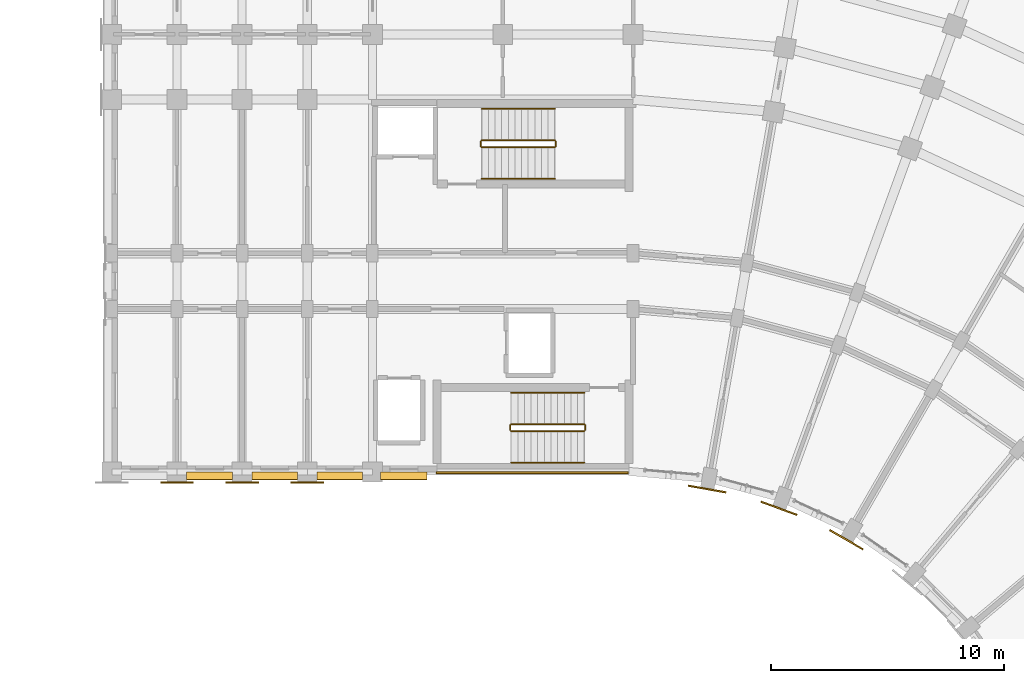
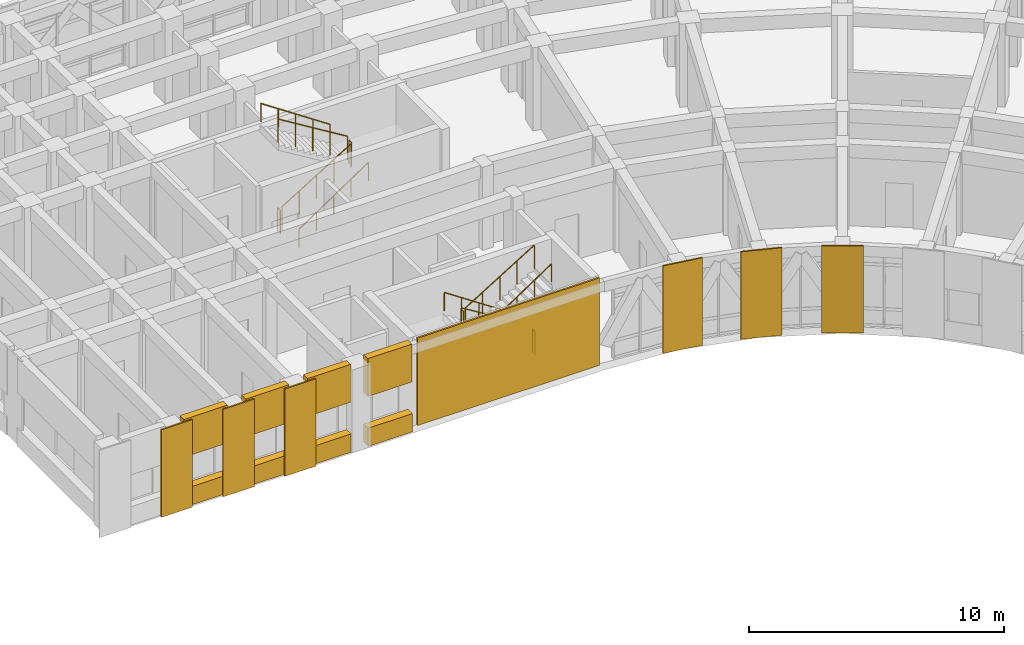
# One storey, part 93 of 97: 15 coverings, 12 railings.
"""IFC4 building model written with IfcOpenShell, lengths in metres."""

from ifc_helpers import new_model, si_unit, direction, frame, origin, origin_2d, place, context, subcontext, project, spatial, polyline, circle, outline, extrude, material, layer, layer_set, type_object, element, save


model = new_model("IFC4")

# Units and contexts
model_context = context("Model", 3, precision=1e-05, world=origin(), true_north=direction((0.0, 1.0)))
body_context = subcontext(model_context, "Body", "Model", "MODEL_VIEW")
ifc_project = project(units=[si_unit("LENGTHUNIT", "METRE"), si_unit("AREAUNIT", "SQUARE_METRE"), si_unit("VOLUMEUNIT", "CUBIC_METRE"), si_unit("PLANEANGLEUNIT", "RADIAN"), si_unit("MASSUNIT", "GRAM", prefix="KILO")], contexts=[model_context])

# Site, building, storey
site_placement = place(None, origin())
site = spatial("IfcSite", under=ifc_project, at=site_placement, CompositionType="ELEMENT")
building_placement = place(site_placement, origin())
building = spatial("IfcBuilding", under=site, at=building_placement, Name="Kiranvali Square Residences", CompositionType="ELEMENT")
storey_placement = place(building_placement, frame((0.0, 0.0, 4.5)))
storey = spatial("IfcBuildingStorey", under=building, at=storey_placement, Name="L01", CompositionType="ELEMENT", Elevation=4.5)

# Coverings
ifc_material_1 = material(Name="Honed Porbandar limestone ashlar facade cladding", Category="masonry")
ifc_layer_1 = layer(ifc_material_1, 0.06494140625)
ifc_layer_set_1 = layer_set([ifc_layer_1], Name="Honed Porbandar limestone ashlar facade cladding")
covering_type_1 = type_object("IfcCoveringType", Name="COV-CLAD-PIER", PredefinedType="CLADDING", material=ifc_layer_set_1)
covering_1_placement = place(storey_placement, frame((0.0, 0.0, 0.0048828125)))
element("IfcCovering", 1, at=covering_1_placement, inside=storey, type_object=covering_type_1, Name="Block B L01 garden stair limestone ashlar cladding", PredefinedType="CLADDING", context=body_context, shape_type="SweptSolid", body=[
    extrude(outline(polyline([(119.60009765625, 106.597900390625), (111.35009765625, 106.597900390625), (111.35009765625, 106.52001953125), (119.60009765625, 106.52001953125), (119.60009765625, 106.597900390625)])), origin(), (0.0, 0.0, 1.0), 4.190185546875),
])
ifc_layer_2 = layer(ifc_material_1, 0.050048828125)
ifc_layer_set_2 = layer_set([ifc_layer_2], Name="Honed Porbandar limestone ashlar facade cladding")
covering_type_2 = type_object("IfcCoveringType", Name="COV-CLAD-PIER-IN", PredefinedType="CLADDING", material=ifc_layer_set_2)
covering_2_placement = place(storey_placement, frame((0.0, 0.0, 0.0048828125)))
element("IfcCovering", 2, at=covering_2_placement, inside=storey, type_object=covering_type_2, Name="L01 Classical garden courtyard pilaster CLAD-PRIN-B-L01-A01", PredefinedType="CLADDING", context=body_context, shape_type="SweptSolid", body=[
    extrude(outline(polyline([(122.16650390625, 105.97216796875), (123.79150390625, 105.685546875), (123.80322265625, 105.752197265625), (122.17822265625, 106.03857421875), (122.16650390625, 105.97216796875)])), origin(), (0.0, 0.0, 1.0), 4.190185546875),
])
covering_3_placement = place(storey_placement, frame((0.0, 0.0, 0.0048828125)))
element("IfcCovering", 3, at=covering_3_placement, inside=storey, type_object=covering_type_2, Name="L01 Classical garden courtyard pilaster CLAD-PRIN-B-L01-A02", PredefinedType="CLADDING", context=body_context, shape_type="SweptSolid", body=[
    extrude(outline(polyline([(125.2861328125, 105.28515625), (126.836669921875, 104.720703125), (126.859619140625, 104.7841796875), (125.30908203125, 105.3486328125), (125.2861328125, 105.28515625)])), origin(), (0.0, 0.0, 1.0), 4.190185546875),
])
covering_4_placement = place(storey_placement, frame((0.0, 0.0, 0.0048828125)))
element("IfcCovering", 4, at=covering_4_placement, inside=storey, type_object=covering_type_2, Name="L01 Classical garden courtyard pilaster CLAD-PRIN-B-L01-A03", PredefinedType="CLADDING", context=body_context, shape_type="SweptSolid", body=[
    extrude(outline(polyline([(128.239013671875, 104.06689453125), (129.66796875, 103.241943359375), (129.70166015625, 103.30029296875), (128.272705078125, 104.125244140625), (128.239013671875, 104.06689453125)])), origin(), (0.0, 0.0, 1.0), 4.190185546875),
])
covering_5_placement = place(storey_placement, frame((0.0, 0.0, 0.0048828125)))
element("IfcCovering", 5, at=covering_5_placement, inside=storey, type_object=covering_type_2, Name="L01 Classical limestone pilaster casing CLAD-PRA1I-B-L01-U140", PredefinedType="CLADDING", context=body_context, shape_type="SweptSolid", body=[
    extrude(outline(polyline([(106.5048828125, 106.174560546875), (105.094970703125, 106.174560546875), (105.094970703125, 106.10693359375), (106.5048828125, 106.10693359375), (106.5048828125, 106.174560546875)])), origin(), (0.0, 0.0, 1.0), 4.190185546875),
])
covering_6_placement = place(storey_placement, frame((0.0, 0.0, 0.0048828125)))
element("IfcCovering", 6, at=covering_6_placement, inside=storey, type_object=covering_type_2, Name="L01 Classical limestone pilaster casing CLAD-PRA1I-B-L01-U167", PredefinedType="CLADDING", context=body_context, shape_type="SweptSolid", body=[
    extrude(outline(polyline([(103.705078125, 106.174560546875), (102.294921875, 106.174560546875), (102.294921875, 106.10693359375), (103.705078125, 106.10693359375), (103.705078125, 106.174560546875)])), origin(), (0.0, 0.0, 1.0), 4.190185546875),
])
covering_7_placement = place(storey_placement, frame((0.0, 0.0, 0.0048828125)))
element("IfcCovering", 7, at=covering_7_placement, inside=storey, type_object=covering_type_2, Name="L01 Classical limestone pilaster casing CLAD-PRA1I-B-L01-U195", PredefinedType="CLADDING", context=body_context, shape_type="SweptSolid", body=[
    extrude(outline(polyline([(100.905029296875, 106.174560546875), (99.4951171875, 106.174560546875), (99.4951171875, 106.10693359375), (100.905029296875, 106.10693359375), (100.905029296875, 106.174560546875)])), origin(), (0.0, 0.0, 1.0), 4.190185546875),
])
ifc_layer_3 = layer(ifc_material_1, 0.360107421875)
ifc_layer_set_3 = layer_set([ifc_layer_3], Name="Honed Porbandar limestone ashlar facade cladding")
covering_type_3 = type_object("IfcCoveringType", Name="COV-CLAD-WALL", PredefinedType="CLADDING", material=ifc_layer_set_3)
covering_8_placement = place(storey_placement, frame((0.0, 0.0, 2.3798828125)))
element("IfcCovering", 8, at=covering_8_placement, inside=storey, type_object=covering_type_3, Name="L01 light limestone spandrel lintel B-L01-A1IN-0", PredefinedType="CLADDING", context=body_context, shape_type="SweptSolid", body=[
    extrude(outline(polyline([(110.949951171875, 106.599609375), (108.949951171875, 106.599609375), (108.949951171875, 106.280029296875), (110.949951171875, 106.280029296875), (110.949951171875, 106.599609375)])), origin(), (0.0, 0.0, 1.0), 1.815185546875),
])
covering_9_placement = place(storey_placement, frame((0.0, 0.0, 0.0048828125)))
element("IfcCovering", 9, at=covering_9_placement, inside=storey, type_object=covering_type_3, Name="L01 limestone window sill apron B-L01-A1IN-0", PredefinedType="CLADDING", context=body_context, shape_type="SweptSolid", body=[
    extrude(outline(polyline([(110.949951171875, 106.599609375), (108.949951171875, 106.599609375), (108.949951171875, 106.25), (110.949951171875, 106.25), (110.949951171875, 106.599609375)])), origin(), (0.0, 0.0, 1.0), 0.875),
])
covering_10_placement = place(storey_placement, frame((0.0, 0.0, 2.3798828125)))
element("IfcCovering", 10, at=covering_10_placement, inside=storey, type_object=covering_type_3, Name="L01 light limestone spandrel lintel B-L01-A1I-0", PredefinedType="CLADDING", context=body_context, shape_type="SweptSolid", body=[
    extrude(outline(polyline([(108.179931640625, 106.599609375), (106.219970703125, 106.599609375), (106.219970703125, 106.280029296875), (108.179931640625, 106.280029296875), (108.179931640625, 106.599609375)])), origin(), (0.0, 0.0, 1.0), 1.815185546875),
])
covering_11_placement = place(storey_placement, frame((0.0, 0.0, 0.0048828125)))
element("IfcCovering", 11, at=covering_11_placement, inside=storey, type_object=covering_type_3, Name="L01 limestone window sill apron B-L01-A1I-0", PredefinedType="CLADDING", context=body_context, shape_type="SweptSolid", body=[
    extrude(outline(polyline([(108.179931640625, 106.599609375), (106.219970703125, 106.599609375), (106.219970703125, 106.25), (108.179931640625, 106.25), (108.179931640625, 106.599609375)])), origin(), (0.0, 0.0, 1.0), 0.875),
])
covering_12_placement = place(storey_placement, frame((0.0, 0.0, 2.3798828125)))
element("IfcCovering", 12, at=covering_12_placement, inside=storey, type_object=covering_type_3, Name="L01 light limestone spandrel lintel B-L01-A1I-1", PredefinedType="CLADDING", context=body_context, shape_type="SweptSolid", body=[
    extrude(outline(polyline([(105.3798828125, 106.599609375), (103.419921875, 106.599609375), (103.419921875, 106.280029296875), (105.3798828125, 106.280029296875), (105.3798828125, 106.599609375)])), origin(), (0.0, 0.0, 1.0), 1.815185546875),
])
covering_13_placement = place(storey_placement, frame((0.0, 0.0, 0.0048828125)))
element("IfcCovering", 13, at=covering_13_placement, inside=storey, type_object=covering_type_3, Name="L01 limestone window sill apron B-L01-A1I-1", PredefinedType="CLADDING", context=body_context, shape_type="SweptSolid", body=[
    extrude(outline(polyline([(105.3798828125, 106.599609375), (103.419921875, 106.599609375), (103.419921875, 106.25), (105.3798828125, 106.25), (105.3798828125, 106.599609375)])), origin(), (0.0, 0.0, 1.0), 0.875),
])
covering_14_placement = place(storey_placement, frame((0.0, 0.0, 2.3798828125)))
element("IfcCovering", 14, at=covering_14_placement, inside=storey, type_object=covering_type_3, Name="L01 light limestone spandrel lintel B-L01-A1I-2", PredefinedType="CLADDING", context=body_context, shape_type="SweptSolid", body=[
    extrude(outline(polyline([(102.580078125, 106.599609375), (100.6201171875, 106.599609375), (100.6201171875, 106.280029296875), (102.580078125, 106.280029296875), (102.580078125, 106.599609375)])), origin(), (0.0, 0.0, 1.0), 1.815185546875),
])
covering_15_placement = place(storey_placement, frame((0.0, 0.0, 0.0048828125)))
element("IfcCovering", 15, at=covering_15_placement, inside=storey, type_object=covering_type_3, Name="L01 limestone window sill apron B-L01-A1I-2", PredefinedType="CLADDING", context=body_context, shape_type="SweptSolid", body=[
    extrude(outline(polyline([(102.580078125, 106.599609375), (100.6201171875, 106.599609375), (100.6201171875, 106.25), (102.580078125, 106.25), (102.580078125, 106.599609375)])), origin(), (0.0, 0.0, 1.0), 0.875),
])

# Railings
ifc_material_2 = material(Name="Brushed stainless steel tubular handrail", Category="steel")
railing_type_1 = type_object("IfcRailingType", Name="RL-HANDRAIL-900", PredefinedType="HANDRAIL", material=ifc_material_2)
railing_1_placement = place(storey_placement, frame((113.300048828125, 119.199951171875, 0.175048828125)))
element("IfcRailing", 16, at=railing_1_placement, inside=storey, type_object=railing_type_1, Name="L01 ST-B1 stair handrail 1", PredefinedType="HANDRAIL", context=body_context, shape_type="SweptSolid", body=[
    extrude(circle(Radius=0.02392578125, at=origin_2d()), frame((0.0, 0.0, 0.8759765625), z_axis=(0.830843872262, 0.0, 0.556505579419), x_axis=(0.0, 1.0, 0.0)), (0.0, 0.0, 1.0), 3.773193359375),
    extrude(circle(Radius=0.02099609375, at=origin_2d()), origin(), (0.0, 0.0, 1.0), 0.851806640625),
    extrude(circle(Radius=0.02099609375, at=origin_2d()), frame((0.78369140625, 0.0, 0.52490234375)), (0.0, 0.0, 1.0), 0.851806640625),
    extrude(circle(Radius=0.02099609375, at=origin_2d()), frame((1.5673828125, 0.0, 1.0498046875)), (0.0, 0.0, 1.0), 0.851806640625),
    extrude(circle(Radius=0.02099609375, at=origin_2d()), frame((2.351318359375, 0.0, 1.574951171875)), (0.0, 0.0, 1.0), 0.851806640625),
    extrude(circle(Radius=0.02099609375, at=origin_2d()), frame((3.135009765625, 0.0, 2.099853515625)), (0.0, 0.0, 1.0), 0.851806640625),
])
railing_2_placement = place(storey_placement, frame((116.43505859375, 122.199951171875, 2.27490234375)))
element("IfcRailing", 17, at=railing_2_placement, inside=storey, type_object=railing_type_1, Name="L01 ST-B1 stair handrail 2", PredefinedType="HANDRAIL", context=body_context, shape_type="SweptSolid", body=[
    extrude(circle(Radius=0.02392578125, at=origin_2d()), frame((0.0, 0.0, 0.8759765625), z_axis=(-0.830813955726, 0.0, 0.556550241192), x_axis=(0.0, -1.0, 0.0)), (0.0, 0.0, 1.0), 3.7734375),
    extrude(circle(Radius=0.02099609375, at=origin_2d()), origin(), (0.0, 0.0, 1.0), 0.851806640625),
    extrude(circle(Radius=0.02099609375, at=origin_2d()), frame((-0.78369140625, 0.0, 0.52490234375)), (0.0, 0.0, 1.0), 0.851806640625),
    extrude(circle(Radius=0.02099609375, at=origin_2d()), frame((-1.5673828125, 0.0, 1.050048828125)), (0.0, 0.0, 1.0), 0.851806640625),
    extrude(circle(Radius=0.02099609375, at=origin_2d()), frame((-2.351318359375, 0.0, 1.5751953125)), (0.0, 0.0, 1.0), 0.851806640625),
    extrude(circle(Radius=0.02099609375, at=origin_2d()), frame((-3.135009765625, 0.0, 2.10009765625)), (0.0, 0.0, 1.0), 0.851806640625),
])
railing_3_placement = place(storey_placement, frame((117.699951171875, 110.0, 0.175048828125)))
element("IfcRailing", 18, at=railing_3_placement, inside=storey, type_object=railing_type_1, Name="L01 ST-B2 stair handrail 1", PredefinedType="HANDRAIL", context=body_context, shape_type="SweptSolid", body=[
    extrude(circle(Radius=0.02392578125, at=origin_2d()), frame((0.0, 0.0, 0.8759765625), z_axis=(-0.830843872262, 0.0, 0.556505579419), x_axis=(0.0, -1.0, 0.0)), (0.0, 0.0, 1.0), 3.773193359375),
    extrude(circle(Radius=0.02099609375, at=origin_2d()), origin(), (0.0, 0.0, 1.0), 0.851806640625),
    extrude(circle(Radius=0.02099609375, at=origin_2d()), frame((-0.78369140625, 0.0, 0.52490234375)), (0.0, 0.0, 1.0), 0.851806640625),
    extrude(circle(Radius=0.02099609375, at=origin_2d()), frame((-1.5673828125, 0.0, 1.0498046875)), (0.0, 0.0, 1.0), 0.851806640625),
    extrude(circle(Radius=0.02099609375, at=origin_2d()), frame((-2.351318359375, 0.0, 1.574951171875)), (0.0, 0.0, 1.0), 0.851806640625),
    extrude(circle(Radius=0.02099609375, at=origin_2d()), frame((-3.135009765625, 0.0, 2.099853515625)), (0.0, 0.0, 1.0), 0.851806640625),
])
railing_4_placement = place(storey_placement, frame((114.56494140625, 107.0, 2.27490234375)))
element("IfcRailing", 19, at=railing_4_placement, inside=storey, type_object=railing_type_1, Name="L01 ST-B2 stair handrail 2", PredefinedType="HANDRAIL", context=body_context, shape_type="SweptSolid", body=[
    extrude(circle(Radius=0.02392578125, at=origin_2d()), frame((0.0, 0.0, 0.8759765625), z_axis=(0.830813955726, 0.0, 0.556550241192), x_axis=(0.0, 1.0, 0.0)), (0.0, 0.0, 1.0), 3.7734375),
    extrude(circle(Radius=0.02099609375, at=origin_2d()), origin(), (0.0, 0.0, 1.0), 0.851806640625),
    extrude(circle(Radius=0.02099609375, at=origin_2d()), frame((0.78369140625, 0.0, 0.52490234375)), (0.0, 0.0, 1.0), 0.851806640625),
    extrude(circle(Radius=0.02099609375, at=origin_2d()), frame((1.5673828125, 0.0, 1.050048828125)), (0.0, 0.0, 1.0), 0.851806640625),
    extrude(circle(Radius=0.02099609375, at=origin_2d()), frame((2.351318359375, 0.0, 1.5751953125)), (0.0, 0.0, 1.0), 0.851806640625),
    extrude(circle(Radius=0.02099609375, at=origin_2d()), frame((3.135009765625, 0.0, 2.10009765625)), (0.0, 0.0, 1.0), 0.851806640625),
])
ifc_material_3 = material(Name="Powder-coated architectural bronze balustrade", Category="steel")
railing_type_2 = type_object("IfcRailingType", Name="RL-ST-GUARD-1200", PredefinedType="GUARDRAIL", material=ifc_material_3)
railing_5_placement = place(storey_placement, frame((113.300048828125, 120.550048828125, 0.175048828125)))
element("IfcRailing", 20, at=railing_5_placement, inside=storey, type_object=railing_type_2, Name="L01 ST-B1 stair guard 1", PredefinedType="GUARDRAIL", context=body_context, shape_type="SweptSolid", body=[
    extrude(circle(Radius=0.02392578125, at=origin_2d()), frame((0.0, 0.0, 1.1259765625), z_axis=(0.852166034122, 0.0, 0.523271488128), x_axis=(0.0, 1.0, 0.0)), (0.0, 0.0, 1.0), 3.678955078125),
    extrude(circle(Radius=0.02099609375, at=origin_2d()), origin(), (0.0, 0.0, 1.0), 1.101806640625),
    extrude(circle(Radius=0.02099609375, at=origin_2d()), frame((0.78369140625, 0.0, 0.481201171875)), (0.0, 0.0, 1.0), 1.101806640625),
    extrude(circle(Radius=0.02099609375, at=origin_2d()), frame((1.5673828125, 0.0, 0.96240234375)), (0.0, 0.0, 1.0), 1.101806640625),
    extrude(circle(Radius=0.02099609375, at=origin_2d()), frame((2.351318359375, 0.0, 1.44384765625)), (0.0, 0.0, 1.0), 1.101806640625),
    extrude(circle(Radius=0.02099609375, at=origin_2d()), frame((3.135009765625, 0.0, 1.925048828125)), (0.0, 0.0, 1.0), 1.101806640625),
])
railing_6_placement = place(storey_placement, frame((116.485107421875, 120.60009765625, 2.10009765625)))
element("IfcRailing", 21, at=railing_6_placement, inside=storey, type_object=railing_type_2, Name="L01 ST-B1 stair guard 2", PredefinedType="GUARDRAIL", context=body_context, shape_type="SweptSolid", body=[
    extrude(circle(Radius=0.02392578125, at=origin_2d()), frame((0.0, 0.0, 1.1259765625), z_axis=(0.0, 1.0, 0.0), x_axis=(-1.0, 0.0, 0.0)), (0.0, 0.0, 1.0), 0.199951171875),
    extrude(circle(Radius=0.02099609375, at=origin_2d()), origin(), (0.0, 0.0, 1.0), 1.101806640625),
    extrude(circle(Radius=0.02099609375, at=origin_2d()), frame((0.0, 0.199951171875, 0.0)), (0.0, 0.0, 1.0), 1.101806640625),
])
railing_7_placement = place(storey_placement, frame((116.43505859375, 120.85009765625, 2.27490234375)))
element("IfcRailing", 22, at=railing_7_placement, inside=storey, type_object=railing_type_2, Name="L01 ST-B1 stair guard 3", PredefinedType="GUARDRAIL", context=body_context, shape_type="SweptSolid", body=[
    extrude(circle(Radius=0.02392578125, at=origin_2d()), frame((0.0, 0.0, 1.1259765625), z_axis=(-0.852166034122, 0.0, 0.523271488128), x_axis=(0.0, -1.0, 0.0)), (0.0, 0.0, 1.0), 3.678955078125),
    extrude(circle(Radius=0.02099609375, at=origin_2d()), origin(), (0.0, 0.0, 1.0), 1.101806640625),
    extrude(circle(Radius=0.02099609375, at=origin_2d()), frame((-0.78369140625, 0.0, 0.481201171875)), (0.0, 0.0, 1.0), 1.101806640625),
    extrude(circle(Radius=0.02099609375, at=origin_2d()), frame((-1.5673828125, 0.0, 0.96240234375)), (0.0, 0.0, 1.0), 1.101806640625),
    extrude(circle(Radius=0.02099609375, at=origin_2d()), frame((-2.351318359375, 0.0, 1.44384765625)), (0.0, 0.0, 1.0), 1.101806640625),
    extrude(circle(Radius=0.02099609375, at=origin_2d()), frame((-3.135009765625, 0.0, 1.925048828125)), (0.0, 0.0, 1.0), 1.101806640625),
])
railing_8_placement = place(storey_placement, frame((113.25, 120.60009765625, 0.0)))
element("IfcRailing", 23, at=railing_8_placement, inside=storey, type_object=railing_type_2, Name="L01 ST-B1 stair guard 4", PredefinedType="GUARDRAIL", context=body_context, shape_type="SweptSolid", body=[
    extrude(circle(Radius=0.02392578125, at=origin_2d()), frame((0.0, 0.0, 1.1259765625), z_axis=(0.0, 1.0, 0.0), x_axis=(-1.0, 0.0, 0.0)), (0.0, 0.0, 1.0), 0.199951171875),
    extrude(circle(Radius=0.02099609375, at=origin_2d()), origin(), (0.0, 0.0, 1.0), 1.101806640625),
    extrude(circle(Radius=0.02099609375, at=origin_2d()), frame((0.0, 0.199951171875, 0.0)), (0.0, 0.0, 1.0), 1.101806640625),
])
railing_9_placement = place(storey_placement, frame((117.699951171875, 108.64990234375, 0.175048828125)))
element("IfcRailing", 24, at=railing_9_placement, inside=storey, type_object=railing_type_2, Name="L01 ST-B2 stair guard 1", PredefinedType="GUARDRAIL", context=body_context, shape_type="SweptSolid", body=[
    extrude(circle(Radius=0.02392578125, at=origin_2d()), frame((0.0, 0.0, 1.1259765625), z_axis=(-0.852166034122, 0.0, 0.523271488128), x_axis=(0.0, -1.0, 0.0)), (0.0, 0.0, 1.0), 3.678955078125),
    extrude(circle(Radius=0.02099609375, at=origin_2d()), origin(), (0.0, 0.0, 1.0), 1.101806640625),
    extrude(circle(Radius=0.02099609375, at=origin_2d()), frame((-0.78369140625, 0.0, 0.481201171875)), (0.0, 0.0, 1.0), 1.101806640625),
    extrude(circle(Radius=0.02099609375, at=origin_2d()), frame((-1.5673828125, 0.0, 0.96240234375)), (0.0, 0.0, 1.0), 1.101806640625),
    extrude(circle(Radius=0.02099609375, at=origin_2d()), frame((-2.351318359375, 0.0, 1.44384765625)), (0.0, 0.0, 1.0), 1.101806640625),
    extrude(circle(Radius=0.02099609375, at=origin_2d()), frame((-3.135009765625, 0.0, 1.925048828125)), (0.0, 0.0, 1.0), 1.101806640625),
])
railing_10_placement = place(storey_placement, frame((114.514892578125, 108.60009765625, 2.10009765625)))
element("IfcRailing", 25, at=railing_10_placement, inside=storey, type_object=railing_type_2, Name="L01 ST-B2 stair guard 2", PredefinedType="GUARDRAIL", context=body_context, shape_type="SweptSolid", body=[
    extrude(circle(Radius=0.02392578125, at=origin_2d()), frame((0.0, 0.0, 1.1259765625), z_axis=(0.0, -1.0, 0.0), x_axis=(1.0, 0.0, 0.0)), (0.0, 0.0, 1.0), 0.2001953125),
    extrude(circle(Radius=0.02099609375, at=origin_2d()), origin(), (0.0, 0.0, 1.0), 1.101806640625),
    extrude(circle(Radius=0.02099609375, at=origin_2d()), frame((0.0, -0.2001953125, 0.0)), (0.0, 0.0, 1.0), 1.101806640625),
])
railing_11_placement = place(storey_placement, frame((114.56494140625, 108.35009765625, 2.27490234375)))
element("IfcRailing", 26, at=railing_11_placement, inside=storey, type_object=railing_type_2, Name="L01 ST-B2 stair guard 3", PredefinedType="GUARDRAIL", context=body_context, shape_type="SweptSolid", body=[
    extrude(circle(Radius=0.02392578125, at=origin_2d()), frame((0.0, 0.0, 1.1259765625), z_axis=(0.852166034122, 0.0, 0.523271488128), x_axis=(0.0, 1.0, 0.0)), (0.0, 0.0, 1.0), 3.678955078125),
    extrude(circle(Radius=0.02099609375, at=origin_2d()), origin(), (0.0, 0.0, 1.0), 1.101806640625),
    extrude(circle(Radius=0.02099609375, at=origin_2d()), frame((0.78369140625, 0.0, 0.481201171875)), (0.0, 0.0, 1.0), 1.101806640625),
    extrude(circle(Radius=0.02099609375, at=origin_2d()), frame((1.5673828125, 0.0, 0.96240234375)), (0.0, 0.0, 1.0), 1.101806640625),
    extrude(circle(Radius=0.02099609375, at=origin_2d()), frame((2.351318359375, 0.0, 1.44384765625)), (0.0, 0.0, 1.0), 1.101806640625),
    extrude(circle(Radius=0.02099609375, at=origin_2d()), frame((3.135009765625, 0.0, 1.925048828125)), (0.0, 0.0, 1.0), 1.101806640625),
])
railing_12_placement = place(storey_placement, frame((117.75, 108.60009765625, 0.0)))
element("IfcRailing", 27, at=railing_12_placement, inside=storey, type_object=railing_type_2, Name="L01 ST-B2 stair guard 4", PredefinedType="GUARDRAIL", context=body_context, shape_type="SweptSolid", body=[
    extrude(circle(Radius=0.02392578125, at=origin_2d()), frame((0.0, 0.0, 1.1259765625), z_axis=(0.0, -1.0, 0.0), x_axis=(1.0, 0.0, 0.0)), (0.0, 0.0, 1.0), 0.2001953125),
    extrude(circle(Radius=0.02099609375, at=origin_2d()), origin(), (0.0, 0.0, 1.0), 1.101806640625),
    extrude(circle(Radius=0.02099609375, at=origin_2d()), frame((0.0, -0.2001953125, 0.0)), (0.0, 0.0, 1.0), 1.101806640625),
])

save(model, "model.ifc")
